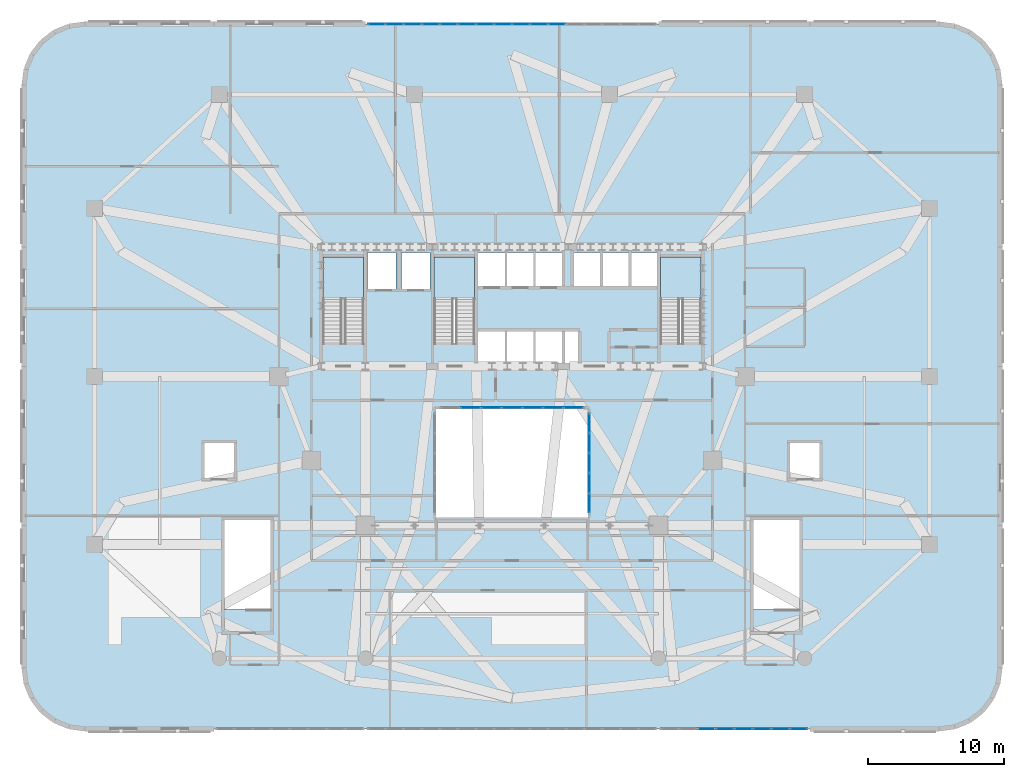
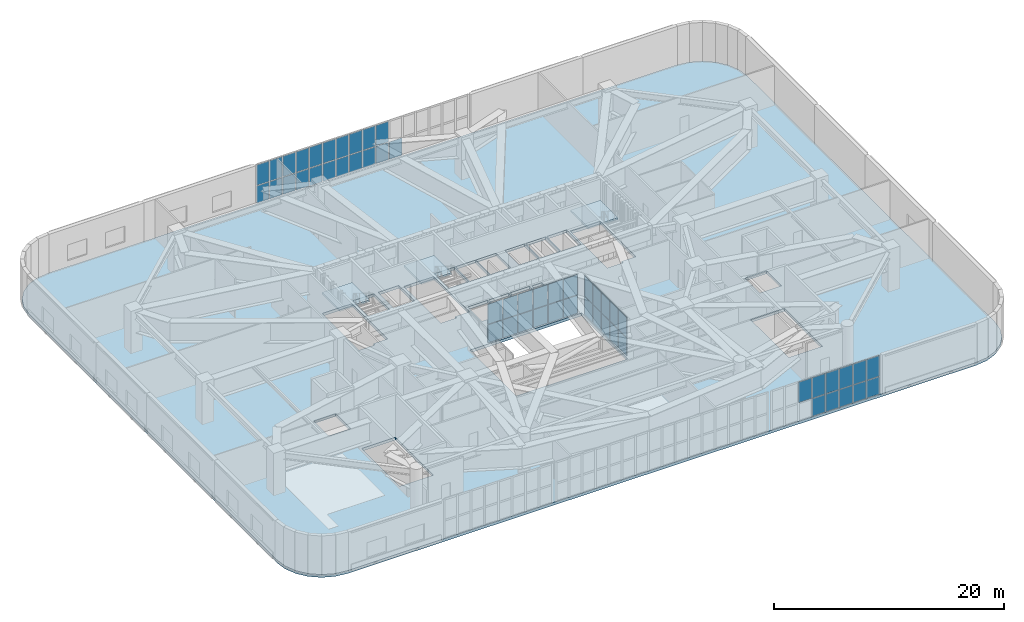
# One storey, part 13 of 26: 54 plates, 4 slabs, 7 elements without a shape of their own.
"""IFC4 building model written with IfcOpenShell, lengths in metres."""

from ifc_helpers import new_model, si_unit, direction, frame, origin, origin_2d, place, context, subcontext, project, spatial, polyline, rectangle, outline, extrude, material, layer, layer_set, type_object, element, aggregate, save


model = new_model("IFC4")

# Units and contexts
model_context = context("Model", 3, precision=1e-05, world=origin(), true_north=direction((0.0, 1.0)))
body_context = subcontext(model_context, "Body", "Model", "MODEL_VIEW")
ifc_project = project(units=[si_unit("LENGTHUNIT", "METRE"), si_unit("AREAUNIT", "SQUARE_METRE"), si_unit("VOLUMEUNIT", "CUBIC_METRE"), si_unit("PLANEANGLEUNIT", "RADIAN"), si_unit("MASSUNIT", "GRAM", prefix="KILO")], contexts=[model_context])

# Site, building, storey
site_placement = place(None, origin())
site = spatial("IfcSite", under=ifc_project, at=site_placement, CompositionType="ELEMENT")
building_placement = place(site_placement, origin())
building = spatial("IfcBuilding", under=site, at=building_placement, Name="Haldorwick Loom Tower", CompositionType="ELEMENT")
storey_placement = place(building_placement, frame((0.0, 0.0, 19.5)))
storey = spatial("IfcBuildingStorey", under=building, at=storey_placement, Name="L04", CompositionType="ELEMENT", Elevation=19.5)

# Curtain wall, plates
ifc_material_1 = material(Name="Thermally Broken Anodized Aluminium Curtain Wall Framing", Category="aluminium")
curtain_wall_type_1 = type_object("IfcCurtainWallType", Name="ARC-CW-02", PredefinedType="NOTDEFINED", material=ifc_material_1)
curtain_wall_1_placement = place(storey_placement, origin())
curtain_wall_1 = element("IfcCurtainWall", 1, at=curtain_wall_1_placement, inside=storey, type_object=curtain_wall_type_1, Name="L04 Facade Curtain Wall CW-02 Bay 19", PredefinedType="NOTDEFINED")
ifc_material_2 = material(Name="Triple-Glazed Low-E Argon Insulated Glazing Unit", Category="glass")
ifc_layer_1 = layer(ifc_material_2, 0.0400390625, Name="Triple-Glazed Low-E Argon Insulated Glazing Unit", Category="glass")
ifc_layer_set_1 = layer_set([ifc_layer_1], Name="Triple-Glazed Low-E Argon Insulated Glazing Unit")
plate_type_1 = type_object("IfcPlateType", Name="ARC-CWP-02", PredefinedType="CURTAIN_PANEL", material=ifc_layer_set_1)
plate_1_placement = place(storey_placement, frame((39.331298828125, 52.0, 0.06982421875), z_axis=(0.0, 0.0, 1.0), x_axis=(-1.0, 0.0, 0.0)))
plate_1 = element("IfcPlate", 2, at=plate_1_placement, type_object=plate_type_1, Name="CW-02 panel 6.1", PredefinedType="CURTAIN_PANEL", context=body_context, shape_type="SweptSolid", body=[
    extrude(rectangle(XDim=1.262451171875, YDim=0.0400390625, at=origin_2d()), origin(), (0.0, 0.0, 1.0), 1.844970703125),
])
plate_2_placement = place(storey_placement, frame((37.998779296875, 52.0, 0.06982421875), z_axis=(0.0, 0.0, 1.0), x_axis=(-1.0, 0.0, 0.0)))
plate_2 = element("IfcPlate", 3, at=plate_2_placement, type_object=plate_type_1, Name="CW-02 panel 7.1", PredefinedType="CURTAIN_PANEL", context=body_context, shape_type="SweptSolid", body=[
    extrude(rectangle(XDim=1.262451171875, YDim=0.0400390625, at=origin_2d()), origin(), (0.0, 0.0, 1.0), 1.844970703125),
])
plate_3_placement = place(storey_placement, frame((37.998779296875, 52.0, 1.98486328125), z_axis=(0.0, 0.0, 1.0), x_axis=(-1.0, 0.0, 0.0)))
plate_3 = element("IfcPlate", 4, at=plate_3_placement, type_object=plate_type_1, Name="CW-02 panel 7.2", PredefinedType="CURTAIN_PANEL", context=body_context, shape_type="SweptSolid", body=[
    extrude(rectangle(XDim=1.262451171875, YDim=0.0400390625, at=origin_2d()), origin(), (0.0, 0.0, 1.0), 2.1650390625),
])
plate_4_placement = place(storey_placement, frame((36.666259765625, 52.0, 0.06982421875), z_axis=(0.0, 0.0, 1.0), x_axis=(-1.0, 0.0, 0.0)))
plate_4 = element("IfcPlate", 5, at=plate_4_placement, type_object=plate_type_1, Name="CW-02 panel 8.1", PredefinedType="CURTAIN_PANEL", context=body_context, shape_type="SweptSolid", body=[
    extrude(rectangle(XDim=1.262451171875, YDim=0.0400390625, at=origin_2d()), origin(), (0.0, 0.0, 1.0), 1.844970703125),
])
plate_5_placement = place(storey_placement, frame((36.666259765625, 52.0, 1.98486328125), z_axis=(0.0, 0.0, 1.0), x_axis=(-1.0, 0.0, 0.0)))
plate_5 = element("IfcPlate", 6, at=plate_5_placement, type_object=plate_type_1, Name="CW-02 panel 8.2", PredefinedType="CURTAIN_PANEL", context=body_context, shape_type="SweptSolid", body=[
    extrude(rectangle(XDim=1.262451171875, YDim=0.0400390625, at=origin_2d()), origin(), (0.0, 0.0, 1.0), 2.1650390625),
])
plate_6_placement = place(storey_placement, frame((35.333740234375, 52.0, 0.06982421875), z_axis=(0.0, 0.0, 1.0), x_axis=(-1.0, 0.0, 0.0)))
plate_6 = element("IfcPlate", 7, at=plate_6_placement, type_object=plate_type_1, Name="CW-02 panel 9.1", PredefinedType="CURTAIN_PANEL", context=body_context, shape_type="SweptSolid", body=[
    extrude(rectangle(XDim=1.262451171875, YDim=0.0400390625, at=origin_2d()), origin(), (0.0, 0.0, 1.0), 1.844970703125),
])
plate_7_placement = place(storey_placement, frame((35.333740234375, 52.0, 1.98486328125), z_axis=(0.0, 0.0, 1.0), x_axis=(-1.0, 0.0, 0.0)))
plate_7 = element("IfcPlate", 8, at=plate_7_placement, type_object=plate_type_1, Name="CW-02 panel 9.2", PredefinedType="CURTAIN_PANEL", context=body_context, shape_type="SweptSolid", body=[
    extrude(rectangle(XDim=1.262451171875, YDim=0.0400390625, at=origin_2d()), origin(), (0.0, 0.0, 1.0), 2.1650390625),
])
plate_8_placement = place(storey_placement, frame((34.001220703125, 52.0, 0.06982421875), z_axis=(0.0, 0.0, 1.0), x_axis=(-1.0, 0.0, 0.0)))
plate_8 = element("IfcPlate", 9, at=plate_8_placement, type_object=plate_type_1, Name="CW-02 panel 10.1", PredefinedType="CURTAIN_PANEL", context=body_context, shape_type="SweptSolid", body=[
    extrude(rectangle(XDim=1.262451171875, YDim=0.0400390625, at=origin_2d()), origin(), (0.0, 0.0, 1.0), 1.844970703125),
])
plate_9_placement = place(storey_placement, frame((34.001220703125, 52.0, 1.98486328125), z_axis=(0.0, 0.0, 1.0), x_axis=(-1.0, 0.0, 0.0)))
plate_9 = element("IfcPlate", 10, at=plate_9_placement, type_object=plate_type_1, Name="CW-02 panel 10.2", PredefinedType="CURTAIN_PANEL", context=body_context, shape_type="SweptSolid", body=[
    extrude(rectangle(XDim=1.262451171875, YDim=0.0400390625, at=origin_2d()), origin(), (0.0, 0.0, 1.0), 2.1650390625),
])
plate_10_placement = place(storey_placement, frame((32.668701171875, 52.0, 0.06982421875), z_axis=(0.0, 0.0, 1.0), x_axis=(-1.0, 0.0, 0.0)))
plate_10 = element("IfcPlate", 11, at=plate_10_placement, type_object=plate_type_1, Name="CW-02 panel 11.1", PredefinedType="CURTAIN_PANEL", context=body_context, shape_type="SweptSolid", body=[
    extrude(rectangle(XDim=1.262451171875, YDim=0.0400390625, at=origin_2d()), origin(), (0.0, 0.0, 1.0), 1.844970703125),
])
plate_11_placement = place(storey_placement, frame((32.668701171875, 52.0, 1.98486328125), z_axis=(0.0, 0.0, 1.0), x_axis=(-1.0, 0.0, 0.0)))
plate_11 = element("IfcPlate", 12, at=plate_11_placement, type_object=plate_type_1, Name="CW-02 panel 11.2", PredefinedType="CURTAIN_PANEL", context=body_context, shape_type="SweptSolid", body=[
    extrude(rectangle(XDim=1.262451171875, YDim=0.0400390625, at=origin_2d()), origin(), (0.0, 0.0, 1.0), 2.1650390625),
])
plate_12_placement = place(storey_placement, frame((31.336181640625, 52.0, 0.06982421875), z_axis=(0.0, 0.0, 1.0), x_axis=(-1.0, 0.0, 0.0)))
plate_12 = element("IfcPlate", 13, at=plate_12_placement, type_object=plate_type_1, Name="CW-02 panel 12.1", PredefinedType="CURTAIN_PANEL", context=body_context, shape_type="SweptSolid", body=[
    extrude(rectangle(XDim=1.262451171875, YDim=0.0400390625, at=origin_2d()), origin(), (0.0, 0.0, 1.0), 1.844970703125),
])
plate_13_placement = place(storey_placement, frame((31.336181640625, 52.0, 1.98486328125), z_axis=(0.0, 0.0, 1.0), x_axis=(-1.0, 0.0, 0.0)))
plate_13 = element("IfcPlate", 14, at=plate_13_placement, type_object=plate_type_1, Name="CW-02 panel 12.2", PredefinedType="CURTAIN_PANEL", context=body_context, shape_type="SweptSolid", body=[
    extrude(rectangle(XDim=1.262451171875, YDim=0.0400390625, at=origin_2d()), origin(), (0.0, 0.0, 1.0), 2.1650390625),
])
plate_14_placement = place(storey_placement, frame((30.003662109375, 52.0, 0.06982421875), z_axis=(0.0, 0.0, 1.0), x_axis=(-1.0, 0.0, 0.0)))
plate_14 = element("IfcPlate", 15, at=plate_14_placement, type_object=plate_type_1, Name="CW-02 panel 13.1", PredefinedType="CURTAIN_PANEL", context=body_context, shape_type="SweptSolid", body=[
    extrude(rectangle(XDim=1.262451171875, YDim=0.0400390625, at=origin_2d()), origin(), (0.0, 0.0, 1.0), 1.844970703125),
])
plate_15_placement = place(storey_placement, frame((30.003662109375, 52.0, 1.98486328125), z_axis=(0.0, 0.0, 1.0), x_axis=(-1.0, 0.0, 0.0)))
plate_15 = element("IfcPlate", 16, at=plate_15_placement, type_object=plate_type_1, Name="CW-02 panel 13.2", PredefinedType="CURTAIN_PANEL", context=body_context, shape_type="SweptSolid", body=[
    extrude(rectangle(XDim=1.262451171875, YDim=0.0400390625, at=origin_2d()), origin(), (0.0, 0.0, 1.0), 2.1650390625),
])
plate_16_placement = place(storey_placement, frame((28.671142578125, 52.0, 0.06982421875), z_axis=(0.0, 0.0, 1.0), x_axis=(-1.0, 0.0, 0.0)))
plate_16 = element("IfcPlate", 17, at=plate_16_placement, type_object=plate_type_1, Name="CW-02 panel 14.1", PredefinedType="CURTAIN_PANEL", context=body_context, shape_type="SweptSolid", body=[
    extrude(rectangle(XDim=1.262451171875, YDim=0.0400390625, at=origin_2d()), origin(), (0.0, 0.0, 1.0), 1.844970703125),
])
plate_17_placement = place(storey_placement, frame((28.671142578125, 52.0, 1.98486328125), z_axis=(0.0, 0.0, 1.0), x_axis=(-1.0, 0.0, 0.0)))
plate_17 = element("IfcPlate", 18, at=plate_17_placement, type_object=plate_type_1, Name="CW-02 panel 14.2", PredefinedType="CURTAIN_PANEL", context=body_context, shape_type="SweptSolid", body=[
    extrude(rectangle(XDim=1.262451171875, YDim=0.0400390625, at=origin_2d()), origin(), (0.0, 0.0, 1.0), 2.1650390625),
])
plate_18_placement = place(storey_placement, frame((27.3388671875, 52.0, 0.06982421875), z_axis=(0.0, 0.0, 1.0), x_axis=(-1.0, 0.0, 0.0)))
plate_18 = element("IfcPlate", 19, at=plate_18_placement, type_object=plate_type_1, Name="CW-02 panel 15.1", PredefinedType="CURTAIN_PANEL", context=body_context, shape_type="SweptSolid", body=[
    extrude(rectangle(XDim=1.262451171875, YDim=0.0400390625, at=origin_2d()), origin(), (0.0, 0.0, 1.0), 1.844970703125),
])
plate_19_placement = place(storey_placement, frame((27.3388671875, 52.0, 1.98486328125), z_axis=(0.0, 0.0, 1.0), x_axis=(-1.0, 0.0, 0.0)))
plate_19 = element("IfcPlate", 20, at=plate_19_placement, type_object=plate_type_1, Name="CW-02 panel 15.2", PredefinedType="CURTAIN_PANEL", context=body_context, shape_type="SweptSolid", body=[
    extrude(rectangle(XDim=1.262451171875, YDim=0.0400390625, at=origin_2d()), origin(), (0.0, 0.0, 1.0), 2.1650390625),
])
plate_20_placement = place(storey_placement, frame((26.023681640625, 52.0, 0.06982421875), z_axis=(0.0, 0.0, 1.0), x_axis=(-1.0, 0.0, 0.0)))
plate_20 = element("IfcPlate", 21, at=plate_20_placement, type_object=plate_type_1, Name="CW-02 panel 16.1", PredefinedType="CURTAIN_PANEL", context=body_context, shape_type="SweptSolid", body=[
    extrude(rectangle(XDim=1.2275390625, YDim=0.0400390625, at=origin_2d()), origin(), (0.0, 0.0, 1.0), 1.844970703125),
])
plate_21_placement = place(storey_placement, frame((26.023681640625, 52.0, 1.98486328125), z_axis=(0.0, 0.0, 1.0), x_axis=(-1.0, 0.0, 0.0)))
plate_21 = element("IfcPlate", 22, at=plate_21_placement, type_object=plate_type_1, Name="CW-02 panel 16.2", PredefinedType="CURTAIN_PANEL", context=body_context, shape_type="SweptSolid", body=[
    extrude(rectangle(XDim=1.2275390625, YDim=0.0400390625, at=origin_2d()), origin(), (0.0, 0.0, 1.0), 2.1650390625),
])
aggregate(curtain_wall_1, [plate_1, plate_2, plate_3, plate_4, plate_5, plate_6, plate_7, plate_8, plate_9, plate_10, plate_11, plate_12, plate_13, plate_14, plate_15, plate_16, plate_17, plate_18, plate_19, plate_20, plate_21])

curtain_wall_2_placement = place(storey_placement, origin())
curtain_wall_2 = element("IfcCurtainWall", 23, at=curtain_wall_2_placement, inside=storey, type_object=curtain_wall_type_1, Name="L04 Facade Curtain Wall CW-02 Bay 41", PredefinedType="NOTDEFINED")
plate_22_placement = place(storey_placement, frame((50.3525390625, 0.0, 1.98486328125), z_axis=(0.0, 0.0, 1.0), x_axis=(1.0, 0.0, 0.0)))
plate_22 = element("IfcPlate", 24, at=plate_22_placement, type_object=plate_type_1, Name="CW-02 panel 3.2", PredefinedType="CURTAIN_PANEL", context=body_context, shape_type="SweptSolid", body=[
    extrude(rectangle(XDim=1.294921875, YDim=0.0400390625, at=origin_2d()), origin(), (0.0, 0.0, 1.0), 2.1650390625),
])
plate_23_placement = place(storey_placement, frame((51.717529296875, 0.0, 0.06982421875), z_axis=(0.0, 0.0, 1.0), x_axis=(1.0, 0.0, 0.0)))
plate_23 = element("IfcPlate", 25, at=plate_23_placement, type_object=plate_type_1, Name="CW-02 panel 4.1", PredefinedType="CURTAIN_PANEL", context=body_context, shape_type="SweptSolid", body=[
    extrude(rectangle(XDim=1.294921875, YDim=0.0400390625, at=origin_2d()), origin(), (0.0, 0.0, 1.0), 1.844970703125),
])
plate_24_placement = place(storey_placement, frame((51.717529296875, 0.0, 1.98486328125), z_axis=(0.0, 0.0, 1.0), x_axis=(1.0, 0.0, 0.0)))
plate_24 = element("IfcPlate", 26, at=plate_24_placement, type_object=plate_type_1, Name="CW-02 panel 4.2", PredefinedType="CURTAIN_PANEL", context=body_context, shape_type="SweptSolid", body=[
    extrude(rectangle(XDim=1.294921875, YDim=0.0400390625, at=origin_2d()), origin(), (0.0, 0.0, 1.0), 2.1650390625),
])
plate_25_placement = place(storey_placement, frame((53.08251953125, 0.0, 0.06982421875), z_axis=(0.0, 0.0, 1.0), x_axis=(1.0, 0.0, 0.0)))
plate_25 = element("IfcPlate", 27, at=plate_25_placement, type_object=plate_type_1, Name="CW-02 panel 5.1", PredefinedType="CURTAIN_PANEL", context=body_context, shape_type="SweptSolid", body=[
    extrude(rectangle(XDim=1.294921875, YDim=0.0400390625, at=origin_2d()), origin(), (0.0, 0.0, 1.0), 1.844970703125),
])
plate_26_placement = place(storey_placement, frame((53.08251953125, 0.0, 1.98486328125), z_axis=(0.0, 0.0, 1.0), x_axis=(1.0, 0.0, 0.0)))
plate_26 = element("IfcPlate", 28, at=plate_26_placement, type_object=plate_type_1, Name="CW-02 panel 5.2", PredefinedType="CURTAIN_PANEL", context=body_context, shape_type="SweptSolid", body=[
    extrude(rectangle(XDim=1.294921875, YDim=0.0400390625, at=origin_2d()), origin(), (0.0, 0.0, 1.0), 2.1650390625),
])
plate_27_placement = place(storey_placement, frame((54.447509765625, 0.0, 0.06982421875), z_axis=(0.0, 0.0, 1.0), x_axis=(1.0, 0.0, 0.0)))
plate_27 = element("IfcPlate", 29, at=plate_27_placement, type_object=plate_type_1, Name="CW-02 panel 6.1", PredefinedType="CURTAIN_PANEL", context=body_context, shape_type="SweptSolid", body=[
    extrude(rectangle(XDim=1.294921875, YDim=0.0400390625, at=origin_2d()), origin(), (0.0, 0.0, 1.0), 1.844970703125),
])
plate_28_placement = place(storey_placement, frame((54.447509765625, 0.0, 1.98486328125), z_axis=(0.0, 0.0, 1.0), x_axis=(1.0, 0.0, 0.0)))
plate_28 = element("IfcPlate", 30, at=plate_28_placement, type_object=plate_type_1, Name="CW-02 panel 6.2", PredefinedType="CURTAIN_PANEL", context=body_context, shape_type="SweptSolid", body=[
    extrude(rectangle(XDim=1.294921875, YDim=0.0400390625, at=origin_2d()), origin(), (0.0, 0.0, 1.0), 2.1650390625),
])
plate_29_placement = place(storey_placement, frame((55.8125, 0.0, 0.06982421875), z_axis=(0.0, 0.0, 1.0), x_axis=(1.0, 0.0, 0.0)))
plate_29 = element("IfcPlate", 31, at=plate_29_placement, type_object=plate_type_1, Name="CW-02 panel 7.1", PredefinedType="CURTAIN_PANEL", context=body_context, shape_type="SweptSolid", body=[
    extrude(rectangle(XDim=1.294921875, YDim=0.0400390625, at=origin_2d()), origin(), (0.0, 0.0, 1.0), 1.844970703125),
])
plate_30_placement = place(storey_placement, frame((55.8125, 0.0, 1.98486328125), z_axis=(0.0, 0.0, 1.0), x_axis=(1.0, 0.0, 0.0)))
plate_30 = element("IfcPlate", 32, at=plate_30_placement, type_object=plate_type_1, Name="CW-02 panel 7.2", PredefinedType="CURTAIN_PANEL", context=body_context, shape_type="SweptSolid", body=[
    extrude(rectangle(XDim=1.294921875, YDim=0.0400390625, at=origin_2d()), origin(), (0.0, 0.0, 1.0), 2.1650390625),
])
plate_31_placement = place(storey_placement, frame((57.159912109375, 0.0, 0.06982421875), z_axis=(0.0, 0.0, 1.0), x_axis=(1.0, 0.0, 0.0)))
plate_31 = element("IfcPlate", 33, at=plate_31_placement, type_object=plate_type_1, Name="CW-02 panel 8.1", PredefinedType="CURTAIN_PANEL", context=body_context, shape_type="SweptSolid", body=[
    extrude(rectangle(XDim=1.260009765625, YDim=0.0400390625, at=origin_2d()), origin(), (0.0, 0.0, 1.0), 1.844970703125),
])
plate_32_placement = place(storey_placement, frame((57.159912109375, 0.0, 1.98486328125), z_axis=(0.0, 0.0, 1.0), x_axis=(1.0, 0.0, 0.0)))
plate_32 = element("IfcPlate", 34, at=plate_32_placement, type_object=plate_type_1, Name="CW-02 panel 8.2", PredefinedType="CURTAIN_PANEL", context=body_context, shape_type="SweptSolid", body=[
    extrude(rectangle(XDim=1.260009765625, YDim=0.0400390625, at=origin_2d()), origin(), (0.0, 0.0, 1.0), 2.1650390625),
])
aggregate(curtain_wall_2, [plate_22, plate_23, plate_24, plate_25, plate_26, plate_27, plate_28, plate_29, plate_30, plate_31, plate_32])

curtain_wall_type_2 = type_object("IfcCurtainWallType", Name="ARC-CW-03", PredefinedType="NOTDEFINED", material=ifc_material_1)
curtain_wall_3_placement = place(storey_placement, origin())
curtain_wall_3 = element("IfcCurtainWall", 35, at=curtain_wall_3_placement, inside=storey, type_object=curtain_wall_type_2, Name="L04 Atrium Glazed Screen N", PredefinedType="NOTDEFINED")
ifc_layer_2 = layer(ifc_material_2, 0.04296875, Name="Triple-Glazed Low-E Argon Insulated Glazing Unit", Category="glass")
ifc_layer_set_2 = layer_set([ifc_layer_2], Name="Triple-Glazed Low-E Argon Insulated Glazing Unit")
plate_type_2 = type_object("IfcPlateType", Name="ARC-CWP-03", PredefinedType="CURTAIN_PANEL", material=ifc_layer_set_2)
plate_33_placement = place(storey_placement, frame((32.971435546875, 23.699951171875, 0.066162109375), z_axis=(0.0, 0.0, 1.0), x_axis=(1.0, 0.0, 0.0)))
plate_33 = element("IfcPlate", 36, at=plate_33_placement, type_object=plate_type_2, Name="CW-03 panel 2.1", PredefinedType="CURTAIN_PANEL", context=body_context, shape_type="SweptSolid", body=[
    extrude(rectangle(XDim=1.4482421875, YDim=0.04296875, at=origin_2d()), origin(), (0.0, 0.0, 1.0), 1.90087890625),
])
plate_34_placement = place(storey_placement, frame((32.971435546875, 23.699951171875, 2.032958984375), z_axis=(0.0, 0.0, 1.0), x_axis=(1.0, 0.0, 0.0)))
plate_34 = element("IfcPlate", 37, at=plate_34_placement, type_object=plate_type_2, Name="CW-03 panel 2.2", PredefinedType="CURTAIN_PANEL", context=body_context, shape_type="SweptSolid", body=[
    extrude(rectangle(XDim=1.4482421875, YDim=0.04296875, at=origin_2d()), origin(), (0.0, 0.0, 1.0), 2.12109375),
])
plate_35_placement = place(storey_placement, frame((34.485595703125, 23.699951171875, 0.066162109375), z_axis=(0.0, 0.0, 1.0), x_axis=(1.0, 0.0, 0.0)))
plate_35 = element("IfcPlate", 38, at=plate_35_placement, type_object=plate_type_2, Name="CW-03 panel 3.1", PredefinedType="CURTAIN_PANEL", context=body_context, shape_type="SweptSolid", body=[
    extrude(rectangle(XDim=1.4482421875, YDim=0.04296875, at=origin_2d()), origin(), (0.0, 0.0, 1.0), 1.90087890625),
])
plate_36_placement = place(storey_placement, frame((34.485595703125, 23.699951171875, 2.032958984375), z_axis=(0.0, 0.0, 1.0), x_axis=(1.0, 0.0, 0.0)))
plate_36 = element("IfcPlate", 39, at=plate_36_placement, type_object=plate_type_2, Name="CW-03 panel 3.2", PredefinedType="CURTAIN_PANEL", context=body_context, shape_type="SweptSolid", body=[
    extrude(rectangle(XDim=1.4482421875, YDim=0.04296875, at=origin_2d()), origin(), (0.0, 0.0, 1.0), 2.12109375),
])
plate_37_placement = place(storey_placement, frame((36.0, 23.699951171875, 0.066162109375), z_axis=(0.0, 0.0, 1.0), x_axis=(1.0, 0.0, 0.0)))
plate_37 = element("IfcPlate", 40, at=plate_37_placement, type_object=plate_type_2, Name="CW-03 panel 4.1", PredefinedType="CURTAIN_PANEL", context=body_context, shape_type="SweptSolid", body=[
    extrude(rectangle(XDim=1.4482421875, YDim=0.04296875, at=origin_2d()), origin(), (0.0, 0.0, 1.0), 1.90087890625),
])
plate_38_placement = place(storey_placement, frame((36.0, 23.699951171875, 2.032958984375), z_axis=(0.0, 0.0, 1.0), x_axis=(1.0, 0.0, 0.0)))
plate_38 = element("IfcPlate", 41, at=plate_38_placement, type_object=plate_type_2, Name="CW-03 panel 4.2", PredefinedType="CURTAIN_PANEL", context=body_context, shape_type="SweptSolid", body=[
    extrude(rectangle(XDim=1.4482421875, YDim=0.04296875, at=origin_2d()), origin(), (0.0, 0.0, 1.0), 2.12109375),
])
plate_39_placement = place(storey_placement, frame((37.514404296875, 23.699951171875, 0.066162109375), z_axis=(0.0, 0.0, 1.0), x_axis=(1.0, 0.0, 0.0)))
plate_39 = element("IfcPlate", 42, at=plate_39_placement, type_object=plate_type_2, Name="CW-03 panel 5.1", PredefinedType="CURTAIN_PANEL", context=body_context, shape_type="SweptSolid", body=[
    extrude(rectangle(XDim=1.4482421875, YDim=0.04296875, at=origin_2d()), origin(), (0.0, 0.0, 1.0), 1.90087890625),
])
plate_40_placement = place(storey_placement, frame((37.514404296875, 23.699951171875, 2.032958984375), z_axis=(0.0, 0.0, 1.0), x_axis=(1.0, 0.0, 0.0)))
plate_40 = element("IfcPlate", 43, at=plate_40_placement, type_object=plate_type_2, Name="CW-03 panel 5.2", PredefinedType="CURTAIN_PANEL", context=body_context, shape_type="SweptSolid", body=[
    extrude(rectangle(XDim=1.4482421875, YDim=0.04296875, at=origin_2d()), origin(), (0.0, 0.0, 1.0), 2.12109375),
])
plate_41_placement = place(storey_placement, frame((39.028564453125, 23.699951171875, 0.066162109375), z_axis=(0.0, 0.0, 1.0), x_axis=(1.0, 0.0, 0.0)))
plate_41 = element("IfcPlate", 44, at=plate_41_placement, type_object=plate_type_2, Name="CW-03 panel 6.1", PredefinedType="CURTAIN_PANEL", context=body_context, shape_type="SweptSolid", body=[
    extrude(rectangle(XDim=1.4482421875, YDim=0.04296875, at=origin_2d()), origin(), (0.0, 0.0, 1.0), 1.90087890625),
])
plate_42_placement = place(storey_placement, frame((39.028564453125, 23.699951171875, 2.032958984375), z_axis=(0.0, 0.0, 1.0), x_axis=(1.0, 0.0, 0.0)))
plate_42 = element("IfcPlate", 45, at=plate_42_placement, type_object=plate_type_2, Name="CW-03 panel 6.2", PredefinedType="CURTAIN_PANEL", context=body_context, shape_type="SweptSolid", body=[
    extrude(rectangle(XDim=1.4482421875, YDim=0.04296875, at=origin_2d()), origin(), (0.0, 0.0, 1.0), 2.12109375),
])
plate_43_placement = place(storey_placement, frame((40.5263671875, 23.699951171875, 0.066162109375), z_axis=(0.0, 0.0, 1.0), x_axis=(1.0, 0.0, 0.0)))
plate_43 = element("IfcPlate", 46, at=plate_43_placement, type_object=plate_type_2, Name="CW-03 panel 7.1", PredefinedType="CURTAIN_PANEL", context=body_context, shape_type="SweptSolid", body=[
    extrude(rectangle(XDim=1.415283203125, YDim=0.04296875, at=origin_2d()), origin(), (0.0, 0.0, 1.0), 1.90087890625),
])
plate_44_placement = place(storey_placement, frame((40.5263671875, 23.699951171875, 2.032958984375), z_axis=(0.0, 0.0, 1.0), x_axis=(1.0, 0.0, 0.0)))
plate_44 = element("IfcPlate", 47, at=plate_44_placement, type_object=plate_type_2, Name="CW-03 panel 7.2", PredefinedType="CURTAIN_PANEL", context=body_context, shape_type="SweptSolid", body=[
    extrude(rectangle(XDim=1.415283203125, YDim=0.04296875, at=origin_2d()), origin(), (0.0, 0.0, 1.0), 2.12109375),
])
aggregate(curtain_wall_3, [plate_33, plate_34, plate_35, plate_36, plate_37, plate_38, plate_39, plate_40, plate_41, plate_42, plate_43, plate_44])

curtain_wall_4_placement = place(storey_placement, origin())
curtain_wall_4 = element("IfcCurtainWall", 48, at=curtain_wall_4_placement, inside=storey, type_object=curtain_wall_type_2, Name="L04 Atrium Glazed Screen E", PredefinedType="NOTDEFINED")
plate_45_placement = place(storey_placement, frame((41.699951171875, 22.54345703125, 0.066162109375), z_axis=(0.0, 0.0, 1.0), x_axis=(0.0, -1.0, 0.0)))
plate_45 = element("IfcPlate", 49, at=plate_45_placement, type_object=plate_type_2, Name="CW-03 panel 1.1", PredefinedType="CURTAIN_PANEL", context=body_context, shape_type="SweptSolid", body=[
    extrude(rectangle(XDim=1.381103515625, YDim=0.04296875, at=origin_2d()), origin(), (0.0, 0.0, 1.0), 1.90087890625),
])
plate_46_placement = place(storey_placement, frame((41.699951171875, 22.54345703125, 2.032958984375), z_axis=(0.0, 0.0, 1.0), x_axis=(0.0, -1.0, 0.0)))
plate_46 = element("IfcPlate", 50, at=plate_46_placement, type_object=plate_type_2, Name="CW-03 panel 1.2", PredefinedType="CURTAIN_PANEL", context=body_context, shape_type="SweptSolid", body=[
    extrude(rectangle(XDim=1.381103515625, YDim=0.04296875, at=origin_2d()), origin(), (0.0, 0.0, 1.0), 2.12109375),
])
plate_47_placement = place(storey_placement, frame((41.699951171875, 21.080078125, 0.066162109375), z_axis=(0.0, 0.0, 1.0), x_axis=(0.0, -1.0, 0.0)))
plate_47 = element("IfcPlate", 51, at=plate_47_placement, type_object=plate_type_2, Name="CW-03 panel 2.1", PredefinedType="CURTAIN_PANEL", context=body_context, shape_type="SweptSolid", body=[
    extrude(rectangle(XDim=1.4140625, YDim=0.04296875, at=origin_2d()), origin(), (0.0, 0.0, 1.0), 1.90087890625),
])
plate_48_placement = place(storey_placement, frame((41.699951171875, 21.080078125, 2.032958984375), z_axis=(0.0, 0.0, 1.0), x_axis=(0.0, -1.0, 0.0)))
plate_48 = element("IfcPlate", 52, at=plate_48_placement, type_object=plate_type_2, Name="CW-03 panel 2.2", PredefinedType="CURTAIN_PANEL", context=body_context, shape_type="SweptSolid", body=[
    extrude(rectangle(XDim=1.4140625, YDim=0.04296875, at=origin_2d()), origin(), (0.0, 0.0, 1.0), 2.12109375),
])
plate_49_placement = place(storey_placement, frame((41.699951171875, 19.60009765625, 0.066162109375), z_axis=(0.0, 0.0, 1.0), x_axis=(0.0, -1.0, 0.0)))
plate_49 = element("IfcPlate", 53, at=plate_49_placement, type_object=plate_type_2, Name="CW-03 panel 3.1", PredefinedType="CURTAIN_PANEL", context=body_context, shape_type="SweptSolid", body=[
    extrude(rectangle(XDim=1.4140625, YDim=0.04296875, at=origin_2d()), origin(), (0.0, 0.0, 1.0), 1.90087890625),
])
plate_50_placement = place(storey_placement, frame((41.699951171875, 19.60009765625, 2.032958984375), z_axis=(0.0, 0.0, 1.0), x_axis=(0.0, -1.0, 0.0)))
plate_50 = element("IfcPlate", 54, at=plate_50_placement, type_object=plate_type_2, Name="CW-03 panel 3.2", PredefinedType="CURTAIN_PANEL", context=body_context, shape_type="SweptSolid", body=[
    extrude(rectangle(XDim=1.4140625, YDim=0.04296875, at=origin_2d()), origin(), (0.0, 0.0, 1.0), 2.12109375),
])
plate_51_placement = place(storey_placement, frame((41.699951171875, 18.1201171875, 0.066162109375), z_axis=(0.0, 0.0, 1.0), x_axis=(0.0, -1.0, 0.0)))
plate_51 = element("IfcPlate", 55, at=plate_51_placement, type_object=plate_type_2, Name="CW-03 panel 4.1", PredefinedType="CURTAIN_PANEL", context=body_context, shape_type="SweptSolid", body=[
    extrude(rectangle(XDim=1.4140625, YDim=0.04296875, at=origin_2d()), origin(), (0.0, 0.0, 1.0), 1.90087890625),
])
plate_52_placement = place(storey_placement, frame((41.699951171875, 18.1201171875, 2.032958984375), z_axis=(0.0, 0.0, 1.0), x_axis=(0.0, -1.0, 0.0)))
plate_52 = element("IfcPlate", 56, at=plate_52_placement, type_object=plate_type_2, Name="CW-03 panel 4.2", PredefinedType="CURTAIN_PANEL", context=body_context, shape_type="SweptSolid", body=[
    extrude(rectangle(XDim=1.4140625, YDim=0.04296875, at=origin_2d()), origin(), (0.0, 0.0, 1.0), 2.12109375),
])
plate_53_placement = place(storey_placement, frame((41.699951171875, 16.656494140625, 0.066162109375), z_axis=(0.0, 0.0, 1.0), x_axis=(0.0, -1.0, 0.0)))
plate_53 = element("IfcPlate", 57, at=plate_53_placement, type_object=plate_type_2, Name="CW-03 panel 5.1", PredefinedType="CURTAIN_PANEL", context=body_context, shape_type="SweptSolid", body=[
    extrude(rectangle(XDim=1.381103515625, YDim=0.04296875, at=origin_2d()), origin(), (0.0, 0.0, 1.0), 1.90087890625),
])
plate_54_placement = place(storey_placement, frame((41.699951171875, 16.656494140625, 2.032958984375), z_axis=(0.0, 0.0, 1.0), x_axis=(0.0, -1.0, 0.0)))
plate_54 = element("IfcPlate", 58, at=plate_54_placement, type_object=plate_type_2, Name="CW-03 panel 5.2", PredefinedType="CURTAIN_PANEL", context=body_context, shape_type="SweptSolid", body=[
    extrude(rectangle(XDim=1.381103515625, YDim=0.04296875, at=origin_2d()), origin(), (0.0, 0.0, 1.0), 2.12109375),
])
aggregate(curtain_wall_4, [plate_45, plate_46, plate_47, plate_48, plate_49, plate_50, plate_51, plate_52, plate_53, plate_54])

# Slab
ifc_material_3 = material(Name="Concrete C40 (40 MPa)", Category="concrete")
ifc_layer_3 = layer(ifc_material_3, 0.300048828125, Name="Concrete C40 (40 MPa)", Category="concrete")
ifc_layer_set_3 = layer_set([ifc_layer_3], Name="Concrete C40 (40 MPa)")
slab_type_1 = type_object("IfcSlabType", Name="STR-SLB-CONC300", PredefinedType="FLOOR", material=ifc_layer_set_3)
slab_1_placement = place(storey_placement, frame((0.0, 0.0, -0.300048828125)))
element("IfcSlab", 59, at=slab_1_placement, inside=storey, type_object=slab_type_1, Name="L04 Structural Floor Slab", PredefinedType="FLOOR", context=body_context, shape_type="SweptSolid", body=[
    extrude(outline(polyline([(2.25, 0.602783203125), (3.335205078125, 0.1533203125), (4.5, 0.0), (67.5, 0.0), (68.664794921875, 0.1533203125), (69.75, 0.602783203125), (70.681884765625, 1.318115234375), (71.397216796875, 2.25), (71.8466796875, 3.335205078125), (72.0, 4.5), (72.0, 47.5), (71.8466796875, 48.664794921875), (71.397216796875, 49.75), (70.681884765625, 50.681884765625), (69.75, 51.397216796875), (68.664794921875, 51.8466796875), (67.5, 52.0), (4.5, 52.0), (3.335205078125, 51.8466796875), (2.25, 51.397216796875), (1.318115234375, 50.681884765625), (0.602783203125, 49.75), (0.1533203125, 48.664794921875), (0.0, 47.5), (0.0, 4.5), (0.1533203125, 3.335205078125), (0.602783203125, 2.25), (1.318115234375, 1.318115234375), (2.25, 0.602783203125)]), holes=[polyline([(14.800048828125, 8.800048828125), (14.800048828125, 15.39990234375), (18.199951171875, 15.39990234375), (18.199951171875, 8.800048828125), (14.800048828125, 8.800048828125)]), polyline([(30.39990234375, 23.60009765625), (41.60009765625, 23.60009765625), (41.60009765625, 15.60009765625), (30.39990234375, 15.60009765625), (30.39990234375, 23.60009765625)]), polyline([(13.300048828125, 18.5), (13.300048828125, 21.10009765625), (15.5, 21.10009765625), (15.5, 18.5), (13.300048828125, 18.5)]), polyline([(33.5, 29.35009765625), (35.5, 29.35009765625), (35.5, 26.85009765625), (33.5, 26.85009765625), (33.5, 29.35009765625)]), polyline([(22.050048828125, 34.800048828125), (25.050048828125, 34.800048828125), (25.050048828125, 28.639892578125), (23.6201171875, 28.639892578125), (23.6201171875, 28.39990234375), (22.050048828125, 28.39990234375), (22.050048828125, 34.800048828125)]), polyline([(30.25, 28.39990234375), (30.25, 34.800048828125), (33.25, 34.800048828125), (33.25, 28.639892578125), (31.820068359375, 28.639892578125), (31.820068359375, 28.39990234375), (30.25, 28.39990234375)]), polyline([(25.35009765625, 32.449951171875), (25.35009765625, 35.14990234375), (27.449951171875, 35.14990234375), (27.449951171875, 32.449951171875), (25.35009765625, 32.449951171875)]), polyline([(27.85009765625, 32.449951171875), (27.85009765625, 35.14990234375), (29.949951171875, 35.14990234375), (29.949951171875, 32.449951171875), (27.85009765625, 32.449951171875)]), polyline([(33.5, 35.14990234375), (35.5, 35.14990234375), (35.5, 32.64990234375), (33.5, 32.64990234375), (33.5, 35.14990234375)]), polyline([(35.60009765625, 35.14990234375), (37.60009765625, 35.14990234375), (37.60009765625, 32.64990234375), (35.60009765625, 32.64990234375), (35.60009765625, 35.14990234375)]), polyline([(53.800048828125, 8.800048828125), (53.800048828125, 15.39990234375), (57.199951171875, 15.39990234375), (57.199951171875, 8.800048828125), (53.800048828125, 8.800048828125)]), polyline([(56.5, 18.5), (56.5, 21.10009765625), (58.699951171875, 21.10009765625), (58.699951171875, 18.5), (56.5, 18.5)]), polyline([(35.60009765625, 26.85009765625), (35.60009765625, 29.35009765625), (37.60009765625, 29.35009765625), (37.60009765625, 26.85009765625), (35.60009765625, 26.85009765625)]), polyline([(37.699951171875, 29.35009765625), (39.699951171875, 29.35009765625), (39.699951171875, 26.85009765625), (37.699951171875, 26.85009765625), (37.699951171875, 29.35009765625)]), polyline([(39.89990234375, 29.300048828125), (40.89990234375, 29.300048828125), (40.89990234375, 26.89990234375), (39.89990234375, 26.89990234375), (39.89990234375, 29.300048828125)]), polyline([(46.949951171875, 28.39990234375), (46.949951171875, 34.800048828125), (49.949951171875, 34.800048828125), (49.949951171875, 28.639892578125), (48.52001953125, 28.639892578125), (48.52001953125, 28.39990234375), (46.949951171875, 28.39990234375)]), polyline([(37.699951171875, 32.64990234375), (37.699951171875, 35.14990234375), (39.699951171875, 35.14990234375), (39.699951171875, 32.64990234375), (37.699951171875, 32.64990234375)]), polyline([(40.550048828125, 32.64990234375), (40.550048828125, 35.14990234375), (42.550048828125, 35.14990234375), (42.550048828125, 32.64990234375), (40.550048828125, 32.64990234375)]), polyline([(42.64990234375, 35.14990234375), (44.64990234375, 35.14990234375), (44.64990234375, 32.64990234375), (42.64990234375, 32.64990234375), (42.64990234375, 35.14990234375)]), polyline([(44.75, 35.14990234375), (46.75, 35.14990234375), (46.75, 32.64990234375), (44.75, 32.64990234375), (44.75, 35.14990234375)])]), origin(), (0.0, 0.0, 1.0), 0.300048828125),
])

# Stair, slab
stair_type = type_object("IfcStairType", Name="STR-STR-CORE", PredefinedType="HALF_TURN_STAIR", material=ifc_material_3)
stair_1_placement = place(storey_placement, origin())
stair_1 = element("IfcStair", 60, at=stair_1_placement, inside=storey, type_object=stair_type, Name="L04 Exit Stair ST-01", PredefinedType="HALF_TURN_STAIR")
ifc_layer_4 = layer(ifc_material_3, 0.199951171875, Name="Concrete C40 (40 MPa)", Category="concrete")
ifc_layer_set_4 = layer_set([ifc_layer_4], Name="Concrete C40 (40 MPa)")
slab_type_2 = type_object("IfcSlabType", Name="STR-SLB-LAND200", PredefinedType="LANDING", material=ifc_layer_set_4)
slab_2_placement = place(storey_placement, frame((0.0, 0.0, 2.050048828125)))
slab_2 = element("IfcSlab", 61, at=slab_2_placement, type_object=slab_type_2, Name="ST-01 landing 1", PredefinedType="LANDING", context=body_context, shape_type="SweptSolid", body=[
    extrude(outline(polyline([(25.050048828125, 31.760009765625), (25.050048828125, 34.800048828125), (22.050048828125, 34.800048828125), (22.050048828125, 31.760009765625), (25.050048828125, 31.760009765625)])), origin(), (0.0, 0.0, 1.0), 0.199951171875),
])
aggregate(stair_1, [slab_2])

stair_2_placement = place(storey_placement, origin())
stair_2 = element("IfcStair", 62, at=stair_2_placement, inside=storey, type_object=stair_type, Name="L04 Exit Stair ST-02", PredefinedType="HALF_TURN_STAIR")
slab_3_placement = place(storey_placement, frame((0.0, 0.0, 2.050048828125)))
slab_3 = element("IfcSlab", 63, at=slab_3_placement, type_object=slab_type_2, Name="ST-02 landing 1", PredefinedType="LANDING", context=body_context, shape_type="SweptSolid", body=[
    extrude(outline(polyline([(49.949951171875, 31.760009765625), (49.949951171875, 34.800048828125), (46.949951171875, 34.800048828125), (46.949951171875, 31.760009765625), (49.949951171875, 31.760009765625)])), origin(), (0.0, 0.0, 1.0), 0.199951171875),
])
aggregate(stair_2, [slab_3])

stair_3_placement = place(storey_placement, origin())
stair_3 = element("IfcStair", 64, at=stair_3_placement, inside=storey, type_object=stair_type, Name="L04 Exit Stair ST-03", PredefinedType="HALF_TURN_STAIR")
slab_4_placement = place(storey_placement, frame((0.0, 0.0, 2.050048828125)))
slab_4 = element("IfcSlab", 65, at=slab_4_placement, type_object=slab_type_2, Name="ST-03 landing 1", PredefinedType="LANDING", context=body_context, shape_type="SweptSolid", body=[
    extrude(outline(polyline([(33.25, 31.760009765625), (33.25, 34.800048828125), (30.25, 34.800048828125), (30.25, 31.760009765625), (33.25, 31.760009765625)])), origin(), (0.0, 0.0, 1.0), 0.199951171875),
])
aggregate(stair_3, [slab_4])

save(model, "model.ifc")
